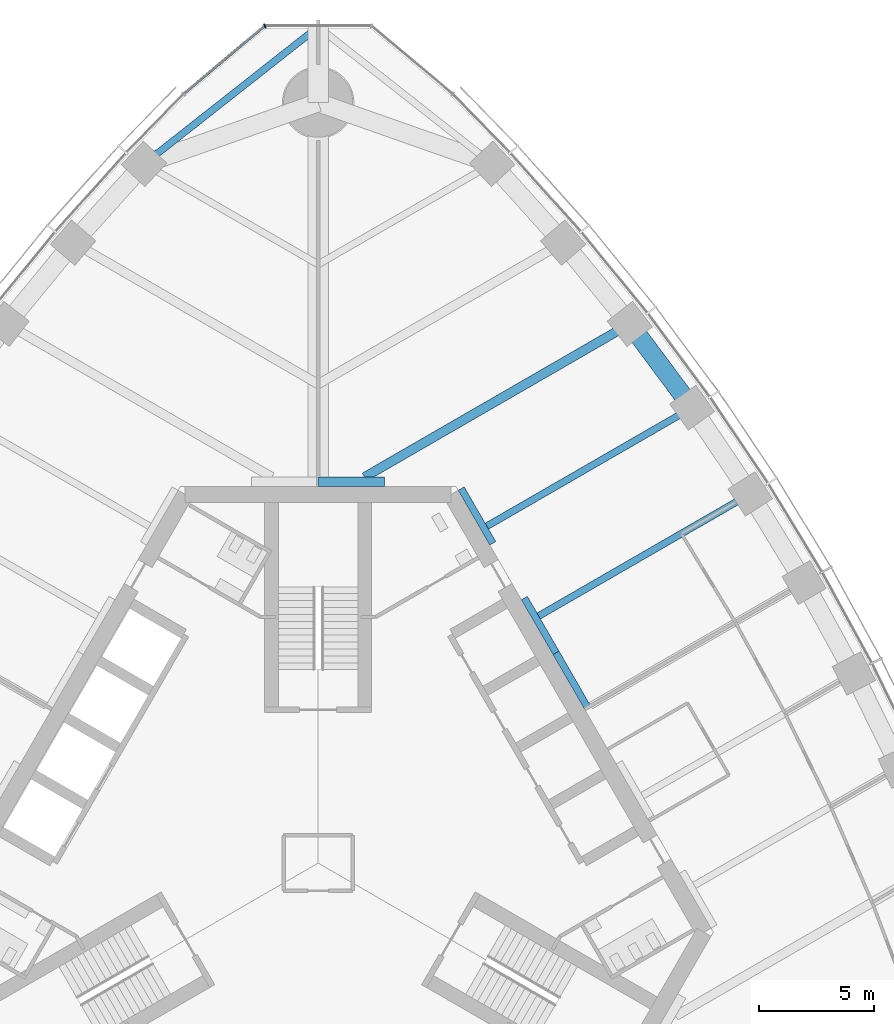
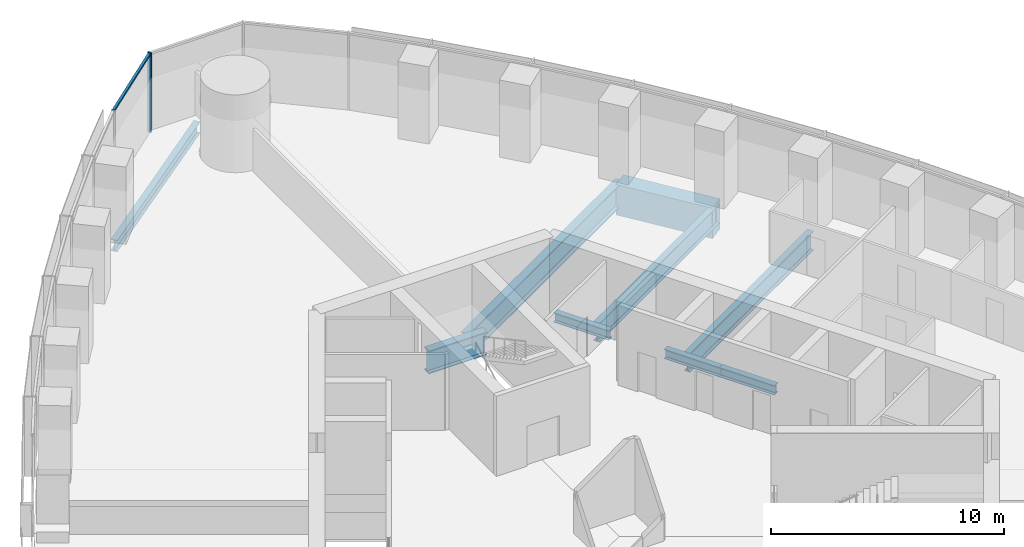
# One storey, part 6 of 18: 9 beams, 2 members, 1 element without a shape of its own.
"""IFC4 building model written with IfcOpenShell, lengths in metres."""

from ifc_helpers import new_model, si_unit, direction, frame, origin, origin_2d, place, context, subcontext, project, spatial, rectangle, i_section, extrude, material, material_profile, profile_set, type_object, element, aggregate, save


model = new_model("IFC4")

# Units and contexts
model_context = context("Model", 3, precision=1e-05, world=origin(), true_north=direction((0.0, 1.0)))
body_context = subcontext(model_context, "Body", "Model", "MODEL_VIEW")
ifc_project = project(units=[si_unit("LENGTHUNIT", "METRE"), si_unit("AREAUNIT", "SQUARE_METRE"), si_unit("VOLUMEUNIT", "CUBIC_METRE"), si_unit("PLANEANGLEUNIT", "RADIAN"), si_unit("MASSUNIT", "GRAM", prefix="KILO")], contexts=[model_context])

# Site, building, storey
site_placement = place(None, origin())
site = spatial("IfcSite", under=ifc_project, at=site_placement, CompositionType="ELEMENT")
building_placement = place(site_placement, origin())
building = spatial("IfcBuilding", under=site, at=building_placement, Name="Trefoil Bronze Tower", CompositionType="ELEMENT")
storey_placement = place(building_placement, frame((0.0, 0.0, 252.699951171875)))
storey = spatial("IfcBuildingStorey", under=building, at=storey_placement, Name="L58", CompositionType="ELEMENT", Elevation=252.699951171875)

# Curtain wall, members
ifc_material_1 = material(Name="Tinted solar-control glass", Category="glass")
curtain_wall_type = type_object("IfcCurtainWallType", Name="Bronze rounded corner curtain wall", PredefinedType="USERDEFINED", material=ifc_material_1)
curtain_wall_placement = place(storey_placement, origin())
curtain_wall = element("IfcCurtainWall", 1, at=curtain_wall_placement, inside=storey, type_object=curtain_wall_type, Name="CW-B L58 K2", ObjectType="CURTAIN WALL", PredefinedType="USERDEFINED")
ifc_material_2 = material(Name="Bronze-finish aluminium", Category="aluminium")
ifc_material_profile_1 = material_profile(ifc_material_2, rectangle(XDim=0.199951171875, YDim=0.06005859375, at=origin_2d()), Name="CW-B mullion")
ifc_profile_set_1 = profile_set([ifc_material_profile_1], Name="Bronze-finish aluminium")
member_type_1 = type_object("IfcMemberType", Name="Bronze rounded corner curtain wall mullion", PredefinedType="MULLION", material=ifc_profile_set_1)
member_1_placement = place(storey_placement, frame((-2.314453125, 36.326416015625, 0.0), z_axis=(0.0, 0.0, 1.0), x_axis=(0.342020143326, -0.939692620786, 0.0)))
member_1 = element("IfcMember", 2, at=member_1_placement, type_object=member_type_1, Name="CW-B L58 K2 mullion 3", PredefinedType="MULLION", context=body_context, shape_type="SweptSolid", body=[
    extrude(rectangle(XDim=0.199951171875, YDim=0.06005859375, at=origin_2d()), origin(), (0.0, 0.0, 1.0), 4.179931640625),
])
ifc_material_3 = material(Name="Bronze-finish aluminium", Category="aluminium")
ifc_material_profile_2 = material_profile(ifc_material_3, rectangle(XDim=0.1201171875, YDim=0.10009765625, at=origin_2d()), Name="CW-B transom")
ifc_profile_set_2 = profile_set([ifc_material_profile_2], Name="Bronze-finish aluminium")
member_type_2 = type_object("IfcMemberType", Name="Bronze rounded corner curtain wall transom", PredefinedType="USERDEFINED", material=ifc_profile_set_2)
member_2_placement = place(storey_placement, frame((-2.367431640625, 36.289794921875, 4.130126953125), z_axis=(-0.766046761698, -0.642784846501, 0.0), x_axis=(0.642784846501, -0.766046761698, 0.0)))
member_2 = element("IfcMember", 3, at=member_2_placement, type_object=member_type_2, Name="CW-B L58 K2 transom 3", ObjectType="TRANSOM", PredefinedType="USERDEFINED", context=body_context, shape_type="SweptSolid", body=[
    extrude(rectangle(XDim=0.1201171875, YDim=0.10009765625, at=origin_2d()), origin(), (0.0, 0.0, 1.0), 4.5),
])
aggregate(curtain_wall, [member_1, member_2])

# Beams
ifc_material_4 = material(Name="Steel C355", Category="steel")
ifc_material_profile_3 = material_profile(ifc_material_4, i_section(OverallWidth=0.300048828125, OverallDepth=0.5, WebThickness=0.014404296875, FlangeThickness=0.028076171875, FilletRadius=0.027099609375, at=origin_2d()), Name="HEB 500")
ifc_profile_set_3 = profile_set([ifc_material_profile_3], Name="Steel C355")
beam_type_1 = type_object("IfcBeamType", Name="Core seat beam HEB 500", PredefinedType="BEAM", material=ifc_profile_set_3)
for number, where, z_axis, x_axis, name in (
    (4, (11.69140625, 6.75, -0.449951171875), (-0.500035825175, 0.866004719122, 0.0), (-0.866004719122, -0.500035825175, 0.0), "Core seat beam F2/+0 L58"),
    (5, (10.320068359375, 9.125, -0.449951171875), (-0.499969057507, 0.866043267704, 0.0), (-0.866043267704, -0.499969057507, 0.0), "Core seat beam F2/+1 L58"),
    (6, (7.57763671875, 13.875, -0.449951171875), (-0.499969057507, 0.866043267704, 0.0), (-0.866043267704, -0.499969057507, 0.0), "Core seat beam F2/+2 L58"),
):
    element("IfcBeam", number, at=place(storey_placement, frame(where, z_axis=z_axis, x_axis=x_axis)), inside=storey, type_object=beam_type_1, Name=name, PredefinedType="BEAM", context=body_context, shape_type="SweptSolid", body=[
        extrude(i_section(OverallWidth=0.300048828125, OverallDepth=0.5, WebThickness=0.014404296875, FlangeThickness=0.028076171875, FilletRadius=0.027099609375, at=origin_2d()), origin(), (0.0, 0.0, 1.0), 2.742431640625),
    ])
ifc_material_5 = material(Name="Steel C355", Category="steel")
ifc_material_profile_4 = material_profile(ifc_material_5, i_section(OverallWidth=0.39990234375, OverallDepth=1.199951171875, WebThickness=0.02001953125, FlangeThickness=0.0400390625, FilletRadius=0.010009765625, at=origin_2d()), Name="WPG 1200")
ifc_profile_set_4 = profile_set([ifc_material_profile_4], Name="Steel C355")
beam_type_2 = type_object("IfcBeamType", Name="Core seat beam WPG 1200", PredefinedType="BEAM", material=ifc_profile_set_4)
beam_1_placement = place(storey_placement, frame((2.88671875, 16.550048828125, -0.800048828125), z_axis=(-1.0, 0.0, 0.0), x_axis=(0.0, -1.0, 0.0)))
element("IfcBeam", 7, at=beam_1_placement, inside=storey, type_object=beam_type_2, Name="Core seat beam F2/+3 L58", PredefinedType="BEAM", context=body_context, shape_type="SweptSolid", body=[
    extrude(i_section(OverallWidth=0.39990234375, OverallDepth=1.199951171875, WebThickness=0.02001953125, FlangeThickness=0.0400390625, FilletRadius=0.010009765625, at=origin_2d()), origin(), (0.0, 0.0, 1.0), 2.88671875),
])
ifc_material_6 = material(Name="Steel C355", Category="steel")
ifc_material_profile_5 = material_profile(ifc_material_6, i_section(OverallWidth=0.300048828125, OverallDepth=0.60009765625, WebThickness=0.015380859375, FlangeThickness=0.030029296875, FilletRadius=0.027099609375, at=origin_2d()), Name="HEB 600")
ifc_profile_set_5 = profile_set([ifc_material_profile_5], Name="Steel C355")
beam_type_3 = type_object("IfcBeamType", Name="Corner edge beam HEB 600", PredefinedType="BEAM", material=ifc_profile_set_5)
beam_2_placement = place(storey_placement, frame((-7.552001953125, 30.3408203125, -0.5), z_axis=(0.785805912008, 0.618473175371, 0.0), x_axis=(-0.618473175371, 0.785805912008, 0.0)))
element("IfcBeam", 8, at=beam_2_placement, inside=storey, type_object=beam_type_3, Name="Corner edge beam F3B L58", PredefinedType="BEAM", context=body_context, shape_type="SweptSolid", body=[
    extrude(i_section(OverallWidth=0.300048828125, OverallDepth=0.60009765625, WebThickness=0.015380859375, FlangeThickness=0.030029296875, FilletRadius=0.027099609375, at=origin_2d()), origin(), (0.0, 0.0, 1.0), 9.610595703125),
])
ifc_material_7 = material(Name="Steel C355", Category="steel")
ifc_material_profile_6 = material_profile(ifc_material_7, i_section(OverallWidth=0.300048828125, OverallDepth=1.0, WebThickness=0.01904296875, FlangeThickness=0.035888671875, FilletRadius=0.030029296875, at=origin_2d()), Name="HEB 1000")
ifc_profile_set_6 = profile_set([ifc_material_profile_6], Name="Steel C355")
beam_type_4 = type_object("IfcBeamType", Name="Floor beam HEB 1000", PredefinedType="BEAM", material=ifc_profile_set_6)
beam_3_placement = place(storey_placement, frame((16.2265625, 19.7607421875, -0.699951171875), z_axis=(-0.866019527493, -0.500010177898, 0.0), x_axis=(0.500010177898, -0.866019527493, 0.0)))
element("IfcBeam", 9, at=beam_3_placement, inside=storey, type_object=beam_type_4, Name="Floor beam F2/+2 L58", PredefinedType="BEAM", context=body_context, shape_type="SweptSolid", body=[
    extrude(i_section(OverallWidth=0.300048828125, OverallDepth=1.0, WebThickness=0.01904296875, FlangeThickness=0.035888671875, FilletRadius=0.030029296875, at=origin_2d()), origin(), (0.0, 0.0, 1.0), 10.282958984375),
])
ifc_material_8 = material(Name="Steel C355", Category="steel")
ifc_material_profile_7 = material_profile(ifc_material_8, i_section(OverallWidth=0.302001953125, OverallDepth=1.008056640625, WebThickness=0.02099609375, FlangeThickness=0.0400390625, FilletRadius=0.030029296875, at=origin_2d()), Name="HEM 1000")
ifc_profile_set_7 = profile_set([ifc_material_profile_7], Name="Steel C355")
beam_type_5 = type_object("IfcBeamType", Name="Floor beam HEM 1000", PredefinedType="BEAM", material=ifc_profile_set_7)
beam_4_placement = place(storey_placement, frame((18.748046875, 16.020263671875, -0.703857421875), z_axis=(-0.86602981261, -0.499992363612, 0.0), x_axis=(0.499992363612, -0.86602981261, 0.0)))
element("IfcBeam", 10, at=beam_4_placement, inside=storey, type_object=beam_type_5, Name="Floor beam F2/+1 L58", PredefinedType="BEAM", context=body_context, shape_type="SweptSolid", body=[
    extrude(i_section(OverallWidth=0.302001953125, OverallDepth=1.008056640625, WebThickness=0.02099609375, FlangeThickness=0.0400390625, FilletRadius=0.030029296875, at=origin_2d()), origin(), (0.0, 0.0, 1.0), 10.596435546875),
])
ifc_material_9 = material(Name="Steel C355", Category="steel")
ifc_material_profile_8 = material_profile(ifc_material_9, i_section(OverallWidth=0.39990234375, OverallDepth=1.199951171875, WebThickness=0.02001953125, FlangeThickness=0.0400390625, FilletRadius=0.010009765625, at=origin_2d()), Name="WPG 1200")
ifc_profile_set_8 = profile_set([ifc_material_profile_8], Name="Steel C355")
beam_type_6 = type_object("IfcBeamType", Name="Floor beam WPG 1200", PredefinedType="BEAM", material=ifc_profile_set_8)
beam_5_placement = place(storey_placement, frame((13.522216796875, 23.3955078125, -0.800048828125), z_axis=(-0.866023461342, -0.500003364394, 0.0), x_axis=(0.500003364394, -0.866023461342, 0.0)))
element("IfcBeam", 11, at=beam_5_placement, inside=storey, type_object=beam_type_6, Name="Floor beam F2/+3 L58", PredefinedType="BEAM", context=body_context, shape_type="SweptSolid", body=[
    extrude(i_section(OverallWidth=0.39990234375, OverallDepth=1.199951171875, WebThickness=0.02001953125, FlangeThickness=0.0400390625, FilletRadius=0.010009765625, at=origin_2d()), origin(), (0.0, 0.0, 1.0), 13.291015625),
])
ifc_material_10 = material(Name="Concrete B80", Category="concrete")
ifc_material_profile_9 = material_profile(ifc_material_10, rectangle(XDim=0.800048828125, YDim=1.60009765625, at=origin_2d()), Name="RC 800x1600")
ifc_profile_set_9 = profile_set([ifc_material_profile_9], Name="Concrete B80")
beam_type_7 = type_object("IfcBeamType", Name="Spandrel beam RC 800x1600", PredefinedType="SPANDREL", material=ifc_profile_set_9)
beam_6_placement = place(storey_placement, frame((16.2265625, 19.7607421875, -1.0), z_axis=(-0.596926078257, 0.802296240236, 0.0), x_axis=(-0.802296240236, -0.596926078257, 0.0)))
element("IfcBeam", 12, at=beam_6_placement, inside=storey, type_object=beam_type_7, Name="Spandrel F2.9 L58", PredefinedType="SPANDREL", context=body_context, shape_type="SweptSolid", body=[
    extrude(rectangle(XDim=0.800048828125, YDim=1.60009765625, at=origin_2d()), origin(), (0.0, 0.0, 1.0), 4.530517578125),
])

save(model, "model.ifc")
